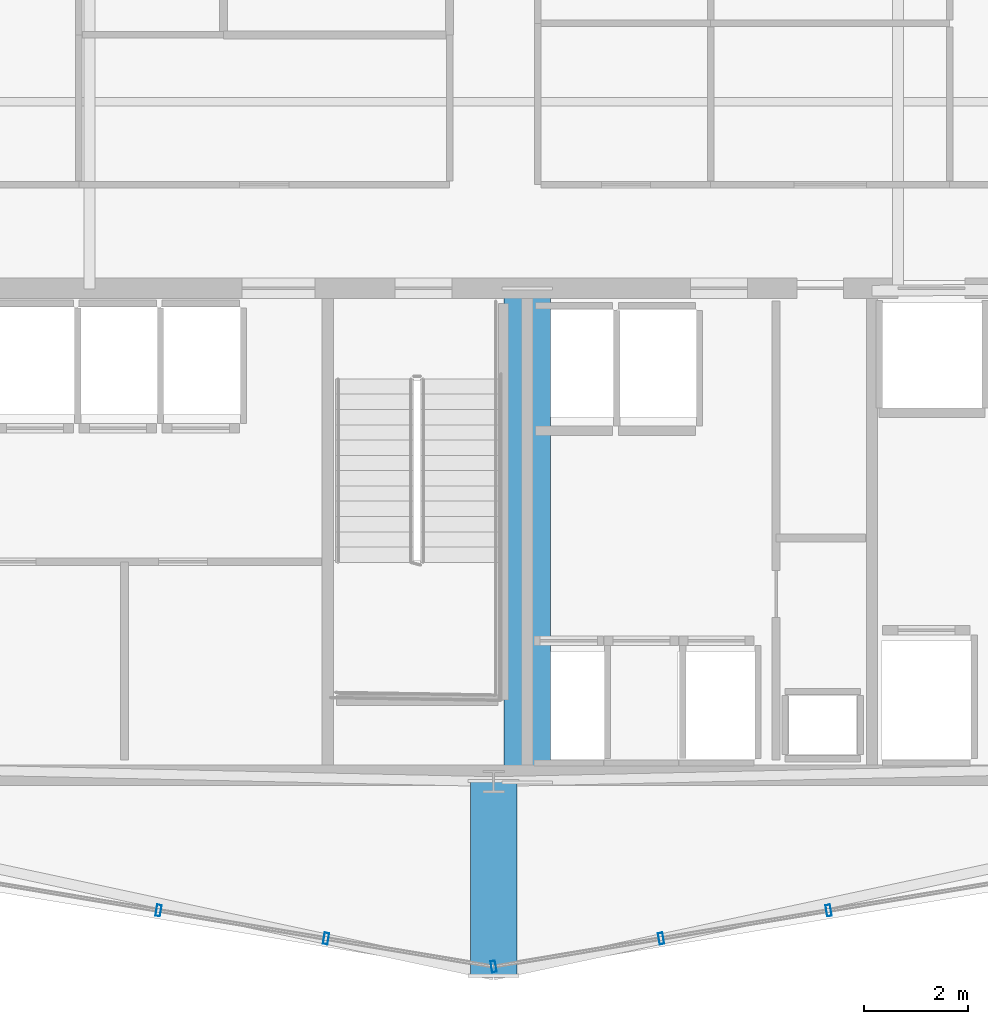
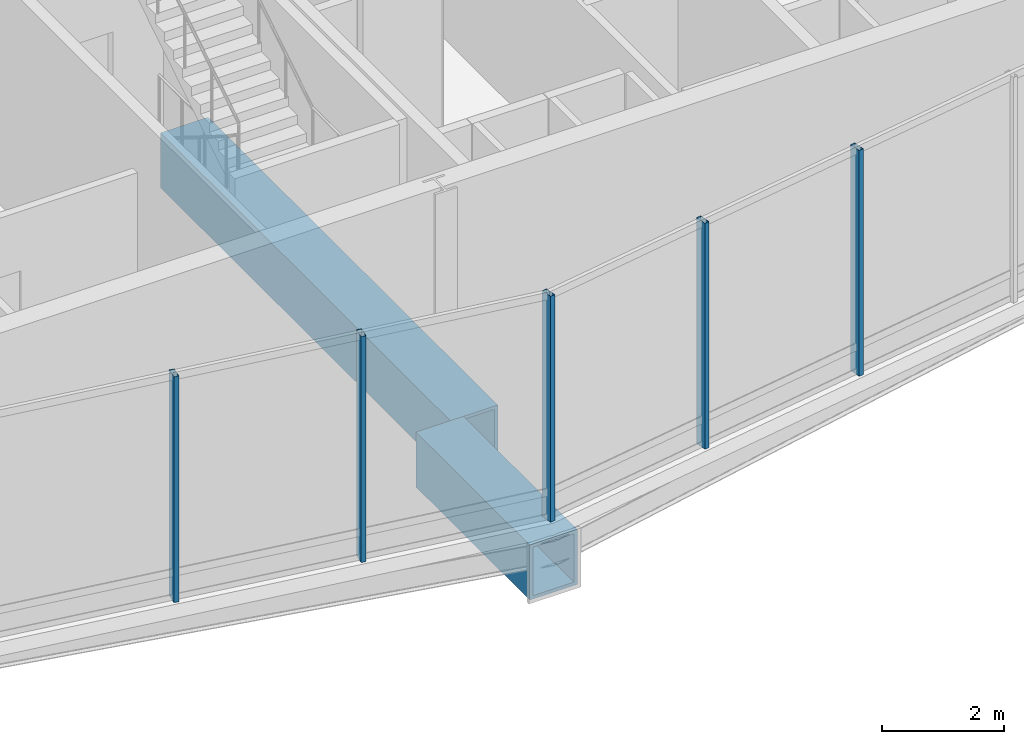
# One storey, part 5 of 29: 5 members, 2 beams, 2 elements without a shape of their own.
"""IFC4 building model written with IfcOpenShell, lengths in metres."""

import ifcopenshell
import ifcopenshell.guid

model = None  # the IFC model being written
_history = None  # IfcOwnerHistory: only IFC2X3 demands one
_inside = {}  # id of a spatial element -> (the spatial element, [elements in it])
_under = {}  # id of a project, library or spatial element -> (it, [spatial elements below it])
_declared = {}  # id of a project -> (the project, [libraries it declares])
_typed = {}  # id of a type object -> (the type object, [elements of that type])
_made_of = {}  # id of a material, layer set ... -> (it, [elements and type objects made of it])


def new_model(schema):
    """Start an empty IFC model of exactly this schema.

    Asked for "IFC4X3", IfcOpenShell would pick the latest addendum, in which some entities
    have other attributes; the version numbers below select the first issue.
    IFC2X3 requires an IfcOwnerHistory on every rooted entity: one is made here for all.
    """
    global model, _history
    if schema == "IFC4X3":
        model = ifcopenshell.file(schema_version=(4, 3, 0, 0))
    else:
        model = ifcopenshell.file(schema=schema)
    _inside.clear()
    _under.clear()
    _declared.clear()
    _typed.clear()
    _made_of.clear()
    _history = None
    if model.schema == "IFC2X3":
        org = make("IfcOrganization", Name="unknown")
        user = make(
            "IfcPersonAndOrganization",
            ThePerson=make("IfcPerson", FamilyName="unknown"),
            TheOrganization=org,
        )
        app = make(
            "IfcApplication",
            ApplicationDeveloper=org,
            Version="unknown",
            ApplicationFullName="unknown",
            ApplicationIdentifier="unknown",
        )
        _history = make(
            "IfcOwnerHistory",
            OwningUser=user,
            OwningApplication=app,
            ChangeAction="ADDED",
            CreationDate=0,
        )
    return model


def make(cls, **values):
    """One entity of the class cls with the attributes given. An attribute that is None is left unset."""
    return model.create_entity(
        cls, **{name: value for name, value in values.items() if value is not None}
    )


def rooted(cls, **values):
    """An entity with a GlobalId (a new one), such as an element, a storey or a relation."""
    return make(cls, GlobalId=ifcopenshell.guid.new(), OwnerHistory=_history, **values)


def si_unit(unit_type, name, prefix=None):
    """IfcSIUnit, for example si_unit("LENGTHUNIT", "METRE", prefix="MILLI")."""
    return make("IfcSIUnit", UnitType=unit_type, Prefix=prefix, Name=name)


def assignment(units):
    """IfcUnitAssignment: the units of a project."""
    return None if units is None else make("IfcUnitAssignment", Units=units)


def point(xyz):
    """IfcCartesianPoint."""
    return None if xyz is None else make("IfcCartesianPoint", Coordinates=xyz)


def direction(xyz):
    """IfcDirection."""
    return None if xyz is None else make("IfcDirection", DirectionRatios=xyz)


def frame(location, z_axis=None, x_axis=None):
    """IfcAxis2Placement3D, a coordinate frame: its origin and axes. An axis left out is left unset."""
    return make(
        "IfcAxis2Placement3D",
        Location=point(location),
        Axis=direction(z_axis),
        RefDirection=direction(x_axis),
    )


def frame_2d(location, x_axis=None):
    """IfcAxis2Placement2D, a coordinate frame in the plane: its origin and x axis."""
    return make(
        "IfcAxis2Placement2D", Location=point(location), RefDirection=direction(x_axis)
    )


def origin():
    """The frame at (0, 0, 0) with its axes left unset."""
    return frame((0.0, 0.0, 0.0))


def origin_2d():
    """The frame at (0, 0) in the plane with its x axis left unset."""
    return frame_2d((0.0, 0.0))


def place(relative_to, where):
    """IfcLocalPlacement: puts the frame where relative to a parent placement (None: the world)."""
    return make(
        "IfcLocalPlacement", PlacementRelTo=relative_to, RelativePlacement=where
    )


def context(
    kind, dimensions, precision=None, world=None, true_north=None, identifier=None
):
    """IfcGeometricRepresentationContext, for example the 3D "Model" context."""
    return make(
        "IfcGeometricRepresentationContext",
        ContextIdentifier=identifier,
        ContextType=kind,
        CoordinateSpaceDimension=dimensions,
        Precision=precision,
        WorldCoordinateSystem=world,
        TrueNorth=true_north,
    )


def subcontext(parent, identifier, kind, view, scale=None):
    """IfcGeometricRepresentationSubContext, for example "Body" below "Model"."""
    return make(
        "IfcGeometricRepresentationSubContext",
        ContextIdentifier=identifier,
        ContextType=kind,
        ParentContext=parent,
        TargetScale=scale,
        TargetView=view,
    )


def project(units=None, contexts=None):
    """IfcProject with its units and contexts."""
    return rooted(
        "IfcProject",
        Name="project",
        RepresentationContexts=contexts,
        UnitsInContext=assignment(units),
    )


def spatial(cls, under=None, at=None, **own):
    """A site, building, storey or space (cls), placed at a placement, below another one or the project."""
    s = rooted(cls, ObjectPlacement=at, **own)
    if under is not None:
        _under.setdefault(under.id(), (under, []))[1].append(s)
    return s


def profile(cls, at=None, kind="AREA", **sizes):
    """A parametric profile (cls). Its sizes go by their IFC names, for example OverallWidth=200.0."""
    return make(cls, ProfileType=kind, Position=at, **sizes)


def hollow_rectangle(**sizes):
    """IfcRectangleHollowProfileDef."""
    return profile("IfcRectangleHollowProfileDef", **sizes)


def extrude(swept, where, along, depth):
    """IfcExtrudedAreaSolid: the profile swept, set in the frame where, extruded along a direction by depth."""
    return make(
        "IfcExtrudedAreaSolid",
        SweptArea=swept,
        Position=where,
        ExtrudedDirection=direction(along),
        Depth=depth,
    )


def shape(context_of_items, identifier, shape_type, items):
    """IfcShapeRepresentation: the items that make up one representation, for example the "Body"."""
    return make(
        "IfcShapeRepresentation",
        ContextOfItems=context_of_items,
        RepresentationIdentifier=identifier,
        RepresentationType=shape_type,
        Items=items,
    )


def material(Name=None, Category=None):
    """IfcMaterial."""
    return make("IfcMaterial", Name=Name, Category=Category)


def layer(
    of_material, thickness, ventilated=None, Name=None, Category=None, Priority=None
):
    """IfcMaterialLayer: one layer of a wall or slab, of a material (None: an air gap)."""
    return make(
        "IfcMaterialLayer",
        Material=of_material,
        LayerThickness=thickness,
        IsVentilated=ventilated,
        Name=Name,
        Category=Category,
        Priority=Priority,
    )


def layer_set(layers, Name=None):
    """IfcMaterialLayerSet."""
    return make("IfcMaterialLayerSet", MaterialLayers=layers, LayerSetName=Name)


def material_profile(
    of_material, cross_section, Name=None, Category=None, Priority=None
):
    """IfcMaterialProfile: a cross section and its material."""
    return make(
        "IfcMaterialProfile",
        Name=Name,
        Material=of_material,
        Profile=cross_section,
        Priority=Priority,
        Category=Category,
    )


def profile_set(profiles, Name=None, composite=None):
    """IfcMaterialProfileSet."""
    return make(
        "IfcMaterialProfileSet",
        Name=Name,
        MaterialProfiles=profiles,
        CompositeProfile=composite,
    )


def made_of(thing, what):
    """Note that an element or type object is made of a material, layer set ...; save() writes the relation."""
    if what is not None:
        _made_of.setdefault(what.id(), (what, []))[1].append(thing)
    return thing


def type_object(cls, material=None, **own):
    """A type object (cls), such as IfcWallType, which elements share."""
    return made_of(rooted(cls, **own), material)


def element(
    cls,
    number,
    at=None,
    inside=None,
    cuts=None,
    type_object=None,
    material=None,
    context=None,
    identifier="Body",
    shape_type=None,
    held_by="IfcProductDefinitionShape",
    body=None,
    shapes=None,
    **own,
):
    """One element of the class cls, such as IfcWall. Its Tag is "e" and its number.

    at: its placement. inside: the storey or other place that contains it. cuts: it is an
    opening in that element (IfcRelVoidsElement). A single representation is given by context,
    identifier, shape_type and body (its items); several are given by shapes. held_by: the class
    of the entity that holds the representations. save() writes the other relations.
    """
    e = rooted(cls, Tag="e%d" % number, ObjectPlacement=at, **own)
    if body is not None:
        shapes = [shape(context, identifier, shape_type, body)]
    if shapes is not None:
        e.Representation = make(held_by, Representations=shapes)
    if inside is not None:
        _inside.setdefault(inside.id(), (inside, []))[1].append(e)
    if cuts is not None:
        rooted(
            "IfcRelVoidsElement", RelatingBuildingElement=cuts, RelatedOpeningElement=e
        )
    if type_object is not None:
        _typed.setdefault(type_object.id(), (type_object, []))[1].append(e)
    return made_of(e, material)


def aggregate(whole, parts):
    """IfcRelAggregates: a whole, such as a stair, and the parts it consists of."""
    return rooted("IfcRelAggregates", RelatingObject=whole, RelatedObjects=parts)


def save(model, path):
    """Write the relations noted so far, then the file.

    IfcRelAggregates (storeys below a building ...), IfcRelContainedInSpatialStructure (elements
    in a storey), IfcRelDefinesByType, IfcRelAssociatesMaterial and IfcRelDeclares: one each for
    every whole, place, type object, material and project.
    """
    for whole, parts in _under.values():
        aggregate(whole, parts)
    for where, things in _inside.values():
        rooted(
            "IfcRelContainedInSpatialStructure",
            RelatedElements=things,
            RelatingStructure=where,
        )
    for kind, things in _typed.values():
        rooted("IfcRelDefinesByType", RelatedObjects=things, RelatingType=kind)
    for what, things in _made_of.values():
        rooted("IfcRelAssociatesMaterial", RelatedObjects=things, RelatingMaterial=what)
    for by, libraries in _declared.values():
        rooted("IfcRelDeclares", RelatingContext=by, RelatedDefinitions=libraries)
    model.write(path)


model = new_model("IFC4")

# Units and contexts
model_context = context("Model", 3, precision=1e-05, world=origin(), true_north=direction((0.0, 1.0)))
body_context = subcontext(model_context, "Body", "Model", "MODEL_VIEW")
ifc_project = project(units=[si_unit("LENGTHUNIT", "METRE"), si_unit("AREAUNIT", "SQUARE_METRE"), si_unit("VOLUMEUNIT", "CUBIC_METRE"), si_unit("PLANEANGLEUNIT", "RADIAN"), si_unit("MASSUNIT", "GRAM", prefix="KILO")], contexts=[model_context])

# Site, building, storey
site_placement = place(None, origin())
site = spatial("IfcSite", under=ifc_project, at=site_placement, CompositionType="ELEMENT")
building_placement = place(site_placement, origin())
building = spatial("IfcBuilding", under=site, at=building_placement, Name="Ndaravel Arena Tower", CompositionType="ELEMENT")
storey_placement = place(building_placement, frame((0.0, 0.0, 208.39990234375)))
storey = spatial("IfcBuildingStorey", under=building, at=storey_placement, Name="L50", CompositionType="ELEMENT", Elevation=208.39990234375)

# Beams
ifc_material_1 = material(Name="Steel S460", Category="steel")
ifc_material_profile_1 = material_profile(ifc_material_1, hollow_rectangle(XDim=0.89990234375, YDim=1.10009765625, WallThickness=0.06494140625, at=origin_2d()), Name="BOX 1100x900x65")
ifc_profile_set_1 = profile_set([ifc_material_profile_1], Name="Steel S460")
beam_type = type_object("IfcBeamType", Name="BM-STAR-BOX1100", PredefinedType="BEAM", material=ifc_profile_set_1)
beam_1_placement = place(storey_placement, frame((42.64990234375, 14.97998046875, -0.829833984375), z_axis=(0.0, -1.0, 0.0), x_axis=(1.0, 0.0, 0.0)))
element("IfcBeam", 1, at=beam_1_placement, inside=storey, type_object=beam_type, Name="L50 Star Cantilever Backspan Girder SBG-2", PredefinedType="BEAM", context=body_context, shape_type="SweptSolid", body=[
    extrude(hollow_rectangle(XDim=0.89990234375, YDim=1.10009765625, WallThickness=0.06494140625, at=origin_2d()), origin(), (0.0, 0.0, 1.0), 9.5),
])
beam_2_placement = place(storey_placement, frame((42.0, 5.47998046875, -0.829833984375), z_axis=(0.0, -1.0, 0.0), x_axis=(1.0, 0.0, 0.0)))
element("IfcBeam", 2, at=beam_2_placement, inside=storey, type_object=beam_type, Name="L50 Star Cantilever Tip Girder SCG-2", PredefinedType="BEAM", context=body_context, shape_type="SweptSolid", body=[
    extrude(hollow_rectangle(XDim=0.89990234375, YDim=1.10009765625, WallThickness=0.06494140625, at=origin_2d()), origin(), (0.0, 0.0, 1.0), 3.72998046875),
])

# Curtain wall, members
ifc_material_2 = material(Name="Aluminium", Category="aluminium")
ifc_layer = layer(ifc_material_2, 0.179931640625)
ifc_layer_set = layer_set([ifc_layer], Name="Aluminium")
curtain_wall_type = type_object("IfcCurtainWallType", Name="CW-SYS-04", PredefinedType="NOTDEFINED", material=ifc_layer_set)
curtain_wall_1_placement = place(storey_placement, origin())
curtain_wall_1 = element("IfcCurtainWall", 3, at=curtain_wall_1_placement, inside=storey, type_object=curtain_wall_type, Name="L50 Faceted Crystal Curtain Wall CW-L50-E02", PredefinedType="NOTDEFINED")
ifc_material_3 = material(Name="Aluminium", Category="aluminium")
ifc_material_profile_2 = material_profile(ifc_material_3, hollow_rectangle(XDim=0.090087890625, YDim=0.219970703125, WallThickness=0.0048828125, at=origin_2d()), Name="CW MULLION 90x220x5")
ifc_profile_set_2 = profile_set([ifc_material_profile_2], Name="Aluminium")
member_type = type_object("IfcMemberType", Name="MEM-CW-MUL220", PredefinedType="MULLION", material=ifc_profile_set_2)
member_1_placement = place(storey_placement, frame((35.535888671875, 2.993408203125, 0.0), z_axis=(0.0, 0.0, 1.0), x_axis=(0.98629712163, -0.164978749734, 0.0)))
member_1 = element("IfcMember", 4, at=member_1_placement, type_object=member_type, Name="CW-L50-E02 Mullion 04", PredefinedType="MULLION", context=body_context, shape_type="SweptSolid", body=[
    extrude(hollow_rectangle(XDim=0.090087890625, YDim=0.219970703125, WallThickness=0.0048828125, at=origin_2d()), origin(), (0.0, 0.0, 1.0), 4.52001953125),
])
member_2_placement = place(storey_placement, frame((38.767822265625, 2.452880859375, 0.0), z_axis=(0.0, 0.0, 1.0), x_axis=(0.98629712163, -0.164978749734, 0.0)))
member_2 = element("IfcMember", 5, at=member_2_placement, type_object=member_type, Name="CW-L50-E02 Mullion 05", PredefinedType="MULLION", context=body_context, shape_type="SweptSolid", body=[
    extrude(hollow_rectangle(XDim=0.090087890625, YDim=0.219970703125, WallThickness=0.0048828125, at=origin_2d()), origin(), (0.0, 0.0, 1.0), 4.52001953125),
])
aggregate(curtain_wall_1, [member_1, member_2])

curtain_wall_2_placement = place(storey_placement, origin())
curtain_wall_2 = element("IfcCurtainWall", 6, at=curtain_wall_2_placement, inside=storey, type_object=curtain_wall_type, Name="L50 Faceted Crystal Curtain Wall CW-L50-E03", PredefinedType="NOTDEFINED")
member_3_placement = place(storey_placement, frame((42.0, 1.912109375, 0.0), z_axis=(0.0, 0.0, 1.0), x_axis=(0.98629712163, 0.164978749734, 0.0)))
member_3 = element("IfcMember", 7, at=member_3_placement, type_object=member_type, Name="CW-L50-E03 Mullion 00", PredefinedType="MULLION", context=body_context, shape_type="SweptSolid", body=[
    extrude(hollow_rectangle(XDim=0.090087890625, YDim=0.219970703125, WallThickness=0.0048828125, at=origin_2d()), origin(), (0.0, 0.0, 1.0), 4.52001953125),
])
member_4_placement = place(storey_placement, frame((45.232177734375, 2.452880859375, 0.0), z_axis=(0.0, 0.0, 1.0), x_axis=(0.98629712163, 0.164978749734, 0.0)))
member_4 = element("IfcMember", 8, at=member_4_placement, type_object=member_type, Name="CW-L50-E03 Mullion 01", PredefinedType="MULLION", context=body_context, shape_type="SweptSolid", body=[
    extrude(hollow_rectangle(XDim=0.090087890625, YDim=0.219970703125, WallThickness=0.0048828125, at=origin_2d()), origin(), (0.0, 0.0, 1.0), 4.52001953125),
])
member_5_placement = place(storey_placement, frame((48.464111328125, 2.993408203125, 0.0), z_axis=(0.0, 0.0, 1.0), x_axis=(0.98629712163, 0.164978749734, 0.0)))
member_5 = element("IfcMember", 9, at=member_5_placement, type_object=member_type, Name="CW-L50-E03 Mullion 02", PredefinedType="MULLION", context=body_context, shape_type="SweptSolid", body=[
    extrude(hollow_rectangle(XDim=0.090087890625, YDim=0.219970703125, WallThickness=0.0048828125, at=origin_2d()), origin(), (0.0, 0.0, 1.0), 4.52001953125),
])
aggregate(curtain_wall_2, [member_3, member_4, member_5])

save(model, "model.ifc")
